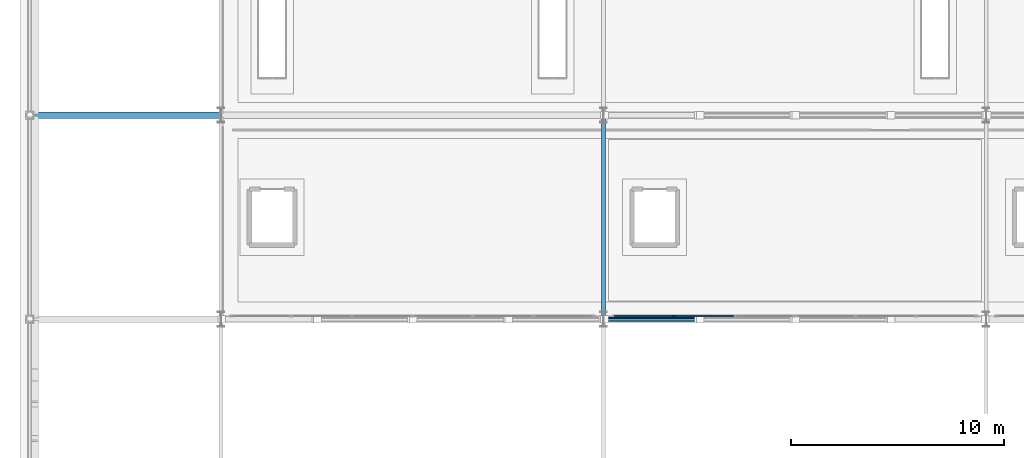
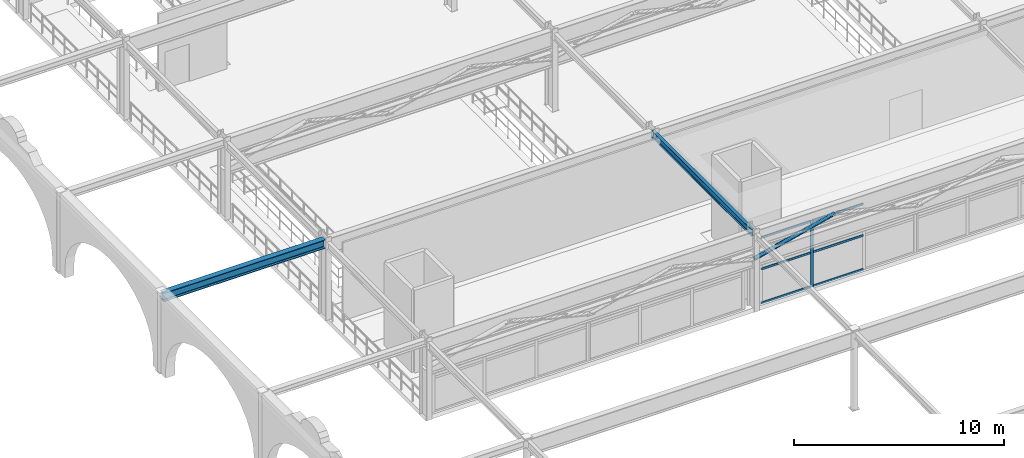
# One storey, part 25 of 125: 8 members, 2 beams, 1 element without a shape of its own.
"""IFC4 building model written with IfcOpenShell, lengths in metres."""

import ifcopenshell
import ifcopenshell.guid

model = None  # the IFC model being written
_history = None  # IfcOwnerHistory: only IFC2X3 demands one
_inside = {}  # id of a spatial element -> (the spatial element, [elements in it])
_under = {}  # id of a project, library or spatial element -> (it, [spatial elements below it])
_declared = {}  # id of a project -> (the project, [libraries it declares])
_typed = {}  # id of a type object -> (the type object, [elements of that type])
_made_of = {}  # id of a material, layer set ... -> (it, [elements and type objects made of it])


def new_model(schema):
    """Start an empty IFC model of exactly this schema.

    Asked for "IFC4X3", IfcOpenShell would pick the latest addendum, in which some entities
    have other attributes; the version numbers below select the first issue.
    IFC2X3 requires an IfcOwnerHistory on every rooted entity: one is made here for all.
    """
    global model, _history
    if schema == "IFC4X3":
        model = ifcopenshell.file(schema_version=(4, 3, 0, 0))
    else:
        model = ifcopenshell.file(schema=schema)
    _inside.clear()
    _under.clear()
    _declared.clear()
    _typed.clear()
    _made_of.clear()
    _history = None
    if model.schema == "IFC2X3":
        org = make("IfcOrganization", Name="unknown")
        user = make(
            "IfcPersonAndOrganization",
            ThePerson=make("IfcPerson", FamilyName="unknown"),
            TheOrganization=org,
        )
        app = make(
            "IfcApplication",
            ApplicationDeveloper=org,
            Version="unknown",
            ApplicationFullName="unknown",
            ApplicationIdentifier="unknown",
        )
        _history = make(
            "IfcOwnerHistory",
            OwningUser=user,
            OwningApplication=app,
            ChangeAction="ADDED",
            CreationDate=0,
        )
    return model


def make(cls, **values):
    """One entity of the class cls with the attributes given. An attribute that is None is left unset."""
    return model.create_entity(
        cls, **{name: value for name, value in values.items() if value is not None}
    )


def rooted(cls, **values):
    """An entity with a GlobalId (a new one), such as an element, a storey or a relation."""
    return make(cls, GlobalId=ifcopenshell.guid.new(), OwnerHistory=_history, **values)


def si_unit(unit_type, name, prefix=None):
    """IfcSIUnit, for example si_unit("LENGTHUNIT", "METRE", prefix="MILLI")."""
    return make("IfcSIUnit", UnitType=unit_type, Prefix=prefix, Name=name)


def assignment(units):
    """IfcUnitAssignment: the units of a project."""
    return None if units is None else make("IfcUnitAssignment", Units=units)


def point(xyz):
    """IfcCartesianPoint."""
    return None if xyz is None else make("IfcCartesianPoint", Coordinates=xyz)


def direction(xyz):
    """IfcDirection."""
    return None if xyz is None else make("IfcDirection", DirectionRatios=xyz)


def frame(location, z_axis=None, x_axis=None):
    """IfcAxis2Placement3D, a coordinate frame: its origin and axes. An axis left out is left unset."""
    return make(
        "IfcAxis2Placement3D",
        Location=point(location),
        Axis=direction(z_axis),
        RefDirection=direction(x_axis),
    )


def frame_2d(location, x_axis=None):
    """IfcAxis2Placement2D, a coordinate frame in the plane: its origin and x axis."""
    return make(
        "IfcAxis2Placement2D", Location=point(location), RefDirection=direction(x_axis)
    )


def origin():
    """The frame at (0, 0, 0) with its axes left unset."""
    return frame((0.0, 0.0, 0.0))


def origin_2d():
    """The frame at (0, 0) in the plane with its x axis left unset."""
    return frame_2d((0.0, 0.0))


def place(relative_to, where):
    """IfcLocalPlacement: puts the frame where relative to a parent placement (None: the world)."""
    return make(
        "IfcLocalPlacement", PlacementRelTo=relative_to, RelativePlacement=where
    )


def context(
    kind, dimensions, precision=None, world=None, true_north=None, identifier=None
):
    """IfcGeometricRepresentationContext, for example the 3D "Model" context."""
    return make(
        "IfcGeometricRepresentationContext",
        ContextIdentifier=identifier,
        ContextType=kind,
        CoordinateSpaceDimension=dimensions,
        Precision=precision,
        WorldCoordinateSystem=world,
        TrueNorth=true_north,
    )


def subcontext(parent, identifier, kind, view, scale=None):
    """IfcGeometricRepresentationSubContext, for example "Body" below "Model"."""
    return make(
        "IfcGeometricRepresentationSubContext",
        ContextIdentifier=identifier,
        ContextType=kind,
        ParentContext=parent,
        TargetScale=scale,
        TargetView=view,
    )


def project(units=None, contexts=None):
    """IfcProject with its units and contexts."""
    return rooted(
        "IfcProject",
        Name="project",
        RepresentationContexts=contexts,
        UnitsInContext=assignment(units),
    )


def spatial(cls, under=None, at=None, **own):
    """A site, building, storey or space (cls), placed at a placement, below another one or the project."""
    s = rooted(cls, ObjectPlacement=at, **own)
    if under is not None:
        _under.setdefault(under.id(), (under, []))[1].append(s)
    return s


def profile(cls, at=None, kind="AREA", **sizes):
    """A parametric profile (cls). Its sizes go by their IFC names, for example OverallWidth=200.0."""
    return make(cls, ProfileType=kind, Position=at, **sizes)


def rectangle(**sizes):
    """IfcRectangleProfileDef."""
    return profile("IfcRectangleProfileDef", **sizes)


def hollow_circle(**sizes):
    """IfcCircleHollowProfileDef."""
    return profile("IfcCircleHollowProfileDef", **sizes)


def i_section(**sizes):
    """IfcIShapeProfileDef."""
    return profile("IfcIShapeProfileDef", **sizes)


def extrude(swept, where, along, depth):
    """IfcExtrudedAreaSolid: the profile swept, set in the frame where, extruded along a direction by depth."""
    return make(
        "IfcExtrudedAreaSolid",
        SweptArea=swept,
        Position=where,
        ExtrudedDirection=direction(along),
        Depth=depth,
    )


def shape(context_of_items, identifier, shape_type, items):
    """IfcShapeRepresentation: the items that make up one representation, for example the "Body"."""
    return make(
        "IfcShapeRepresentation",
        ContextOfItems=context_of_items,
        RepresentationIdentifier=identifier,
        RepresentationType=shape_type,
        Items=items,
    )


def material(Name=None, Category=None):
    """IfcMaterial."""
    return make("IfcMaterial", Name=Name, Category=Category)


def layer(
    of_material, thickness, ventilated=None, Name=None, Category=None, Priority=None
):
    """IfcMaterialLayer: one layer of a wall or slab, of a material (None: an air gap)."""
    return make(
        "IfcMaterialLayer",
        Material=of_material,
        LayerThickness=thickness,
        IsVentilated=ventilated,
        Name=Name,
        Category=Category,
        Priority=Priority,
    )


def layer_set(layers, Name=None):
    """IfcMaterialLayerSet."""
    return make("IfcMaterialLayerSet", MaterialLayers=layers, LayerSetName=Name)


def material_profile(
    of_material, cross_section, Name=None, Category=None, Priority=None
):
    """IfcMaterialProfile: a cross section and its material."""
    return make(
        "IfcMaterialProfile",
        Name=Name,
        Material=of_material,
        Profile=cross_section,
        Priority=Priority,
        Category=Category,
    )


def profile_set(profiles, Name=None, composite=None):
    """IfcMaterialProfileSet."""
    return make(
        "IfcMaterialProfileSet",
        Name=Name,
        MaterialProfiles=profiles,
        CompositeProfile=composite,
    )


def made_of(thing, what):
    """Note that an element or type object is made of a material, layer set ...; save() writes the relation."""
    if what is not None:
        _made_of.setdefault(what.id(), (what, []))[1].append(thing)
    return thing


def type_object(cls, material=None, **own):
    """A type object (cls), such as IfcWallType, which elements share."""
    return made_of(rooted(cls, **own), material)


def element(
    cls,
    number,
    at=None,
    inside=None,
    cuts=None,
    type_object=None,
    material=None,
    context=None,
    identifier="Body",
    shape_type=None,
    held_by="IfcProductDefinitionShape",
    body=None,
    shapes=None,
    **own,
):
    """One element of the class cls, such as IfcWall. Its Tag is "e" and its number.

    at: its placement. inside: the storey or other place that contains it. cuts: it is an
    opening in that element (IfcRelVoidsElement). A single representation is given by context,
    identifier, shape_type and body (its items); several are given by shapes. held_by: the class
    of the entity that holds the representations. save() writes the other relations.
    """
    e = rooted(cls, Tag="e%d" % number, ObjectPlacement=at, **own)
    if body is not None:
        shapes = [shape(context, identifier, shape_type, body)]
    if shapes is not None:
        e.Representation = make(held_by, Representations=shapes)
    if inside is not None:
        _inside.setdefault(inside.id(), (inside, []))[1].append(e)
    if cuts is not None:
        rooted(
            "IfcRelVoidsElement", RelatingBuildingElement=cuts, RelatedOpeningElement=e
        )
    if type_object is not None:
        _typed.setdefault(type_object.id(), (type_object, []))[1].append(e)
    return made_of(e, material)


def aggregate(whole, parts):
    """IfcRelAggregates: a whole, such as a stair, and the parts it consists of."""
    return rooted("IfcRelAggregates", RelatingObject=whole, RelatedObjects=parts)


def save(model, path):
    """Write the relations noted so far, then the file.

    IfcRelAggregates (storeys below a building ...), IfcRelContainedInSpatialStructure (elements
    in a storey), IfcRelDefinesByType, IfcRelAssociatesMaterial and IfcRelDeclares: one each for
    every whole, place, type object, material and project.
    """
    for whole, parts in _under.values():
        aggregate(whole, parts)
    for where, things in _inside.values():
        rooted(
            "IfcRelContainedInSpatialStructure",
            RelatedElements=things,
            RelatingStructure=where,
        )
    for kind, things in _typed.values():
        rooted("IfcRelDefinesByType", RelatedObjects=things, RelatingType=kind)
    for what, things in _made_of.values():
        rooted("IfcRelAssociatesMaterial", RelatedObjects=things, RelatingMaterial=what)
    for by, libraries in _declared.values():
        rooted("IfcRelDeclares", RelatingContext=by, RelatedDefinitions=libraries)
    model.write(path)


model = new_model("IFC4")

# Units and contexts
model_context = context("Model", 3, precision=1e-05, world=origin(), true_north=direction((0.0, 1.0)))
body_context = subcontext(model_context, "Body", "Model", "MODEL_VIEW")
ifc_project = project(units=[si_unit("LENGTHUNIT", "METRE"), si_unit("AREAUNIT", "SQUARE_METRE"), si_unit("VOLUMEUNIT", "CUBIC_METRE"), si_unit("PLANEANGLEUNIT", "RADIAN"), si_unit("MASSUNIT", "GRAM", prefix="KILO")], contexts=[model_context])

# Site, building, storey
site_placement = place(None, origin())
site = spatial("IfcSite", under=ifc_project, at=site_placement, CompositionType="ELEMENT")
building_placement = place(site_placement, origin())
building = spatial("IfcBuilding", under=site, at=building_placement, Name="Myrtia Square Station", CompositionType="ELEMENT")
storey_placement = place(building_placement, frame((0.0, 0.0, 6.0)))
storey = spatial("IfcBuildingStorey", under=building, at=storey_placement, Name="L01", CompositionType="ELEMENT", Elevation=6.0)

# Beams
ifc_material_1 = material(Name="Steel S355", Category="steel")
ifc_material_profile_1 = material_profile(ifc_material_1, i_section(OverallWidth=0.300048828125, OverallDepth=0.5, WebThickness=0.014404296875, FlangeThickness=0.028076171875, FilletRadius=0.027099609375, at=origin_2d()), Name="HEB 500")
ifc_profile_set_1 = profile_set([ifc_material_profile_1], Name="Steel S355")
beam_type_1 = type_object("IfcBeamType", Name="BM-HEB500", PredefinedType="BEAM", material=ifc_profile_set_1)
beam_1_placement = place(storey_placement, frame((0.050048828125, 48.0, 4.304931640625), z_axis=(1.0, 0.0, 0.0), x_axis=(0.0, 1.0, 0.0)))
element("IfcBeam", 1, at=beam_1_placement, inside=storey, type_object=beam_type_1, Name="Structural girder BMX-L01-0468", PredefinedType="BEAM", context=body_context, shape_type="SweptSolid", body=[
    extrude(i_section(OverallWidth=0.300048828125, OverallDepth=0.5, WebThickness=0.014404296875, FlangeThickness=0.028076171875, FilletRadius=0.027099609375, at=origin_2d()), origin(), (0.0, 0.0, 1.0), 8.89990234375),
])
ifc_material_profile_2 = material_profile(ifc_material_1, i_section(OverallWidth=0.179931640625, OverallDepth=0.39990234375, WebThickness=0.008544921875, FlangeThickness=0.013427734375, FilletRadius=0.02099609375, at=origin_2d()), Name="IPE 400")
ifc_profile_set_2 = profile_set([ifc_material_profile_2], Name="Steel S355")
beam_type_2 = type_object("IfcBeamType", Name="BM-IPE400", PredefinedType="BEAM", material=ifc_profile_set_2)
beam_2_placement = place(storey_placement, frame((27.0, 38.449951171875, 4.35498046875), z_axis=(0.0, 1.0, 0.0), x_axis=(-1.0, 0.0, 0.0)))
element("IfcBeam", 2, at=beam_2_placement, inside=storey, type_object=beam_type_2, Name="Structural girder BMY-L01-0499", PredefinedType="BEAM", context=body_context, shape_type="SweptSolid", body=[
    extrude(i_section(OverallWidth=0.179931640625, OverallDepth=0.39990234375, WebThickness=0.008544921875, FlangeThickness=0.013427734375, FilletRadius=0.02099609375, at=origin_2d()), origin(), (0.0, 0.0, 1.0), 9.5),
])

# Member
ifc_material_profile_3 = material_profile(ifc_material_1, hollow_circle(Radius=0.109619140625, WallThickness=0.012451171875, at=origin_2d()), Name="CHS 219.1x12.5")
ifc_profile_set_3 = profile_set([ifc_material_profile_3], Name="Steel S355")
member_type_1 = type_object("IfcMemberType", Name="BRC-CHS219", PredefinedType="BRACE", material=ifc_profile_set_3)
member_1_placement = place(storey_placement, frame((27.0400390625, 38.39990234375, 2.85009765625), z_axis=(0.97040677758, 0.0, 0.241476056838), x_axis=(0.0, 1.0, 0.0)))
element("IfcMember", 3, at=member_1_placement, inside=storey, type_object=member_type_1, Name="Warren roof truss 01 diagonal 5", PredefinedType="BRACE", context=body_context, shape_type="SweptSolid", body=[
    extrude(hollow_circle(Radius=0.109619140625, WallThickness=0.012451171875, at=origin_2d()), origin(), (0.0, 0.0, 1.0), 4.5546875),
])

# Curtain wall, members
ifc_material_2 = material(Name="Dark bronze anodised aluminium", Category="aluminium")
ifc_layer = layer(ifc_material_2, 0.159912109375, Name="Dark bronze anodised aluminium")
ifc_layer_set = layer_set([ifc_layer], Name="Dark bronze anodised aluminium")
curtain_wall_type = type_object("IfcCurtainWallType", Name="CW-TYPE-18-855x385", PredefinedType="USERDEFINED", material=ifc_layer_set)
curtain_wall_placement = place(storey_placement, origin())
curtain_wall = element("IfcCurtainWall", 4, at=curtain_wall_placement, inside=storey, type_object=curtain_wall_type, Name="Concourse curtain wall CW-L01-063", ObjectType="CONCOURSE CURTAIN WALL", PredefinedType="USERDEFINED")
ifc_material_profile_4 = material_profile(ifc_material_2, rectangle(XDim=0.06005859375, YDim=0.159912109375, at=origin_2d()), Name="ALU-M 60x160")
ifc_profile_set_4 = profile_set([ifc_material_profile_4], Name="Dark bronze anodised aluminium")
member_type_2 = type_object("IfcMemberType", Name="CWM-60x160", PredefinedType="MULLION", material=ifc_profile_set_4)
member_2_placement = place(storey_placement, frame((30.300048828125, 38.550048828125, 0.0), z_axis=(0.0, 0.0, 1.0), x_axis=(0.0, 1.0, 0.0)))
member_2 = element("IfcMember", 5, at=member_2_placement, type_object=member_type_2, Name="CW-063 mullion 2", PredefinedType="MULLION", context=body_context, shape_type="SweptSolid", body=[
    extrude(rectangle(XDim=0.06005859375, YDim=0.159912109375, at=origin_2d()), origin(), (0.0, 0.0, 1.0), 3.85009765625),
])
ifc_material_profile_5 = material_profile(ifc_material_2, rectangle(XDim=0.06005859375, YDim=0.1201171875, at=origin_2d()), Name="ALU-T 60x120")
ifc_profile_set_5 = profile_set([ifc_material_profile_5], Name="Dark bronze anodised aluminium")
member_type_3 = type_object("IfcMemberType", Name="CWT-60x120", PredefinedType="USERDEFINED", material=ifc_profile_set_5)
member_3_placement = place(storey_placement, frame((27.510009765625, 38.550048828125, 0.030029296875), z_axis=(1.0, 0.0, 0.0), x_axis=(0.0, 1.0, 0.0)))
member_3 = element("IfcMember", 6, at=member_3_placement, type_object=member_type_3, Name="CW-063 transom 1.1", ObjectType="TRANSOM", PredefinedType="USERDEFINED", context=body_context, shape_type="SweptSolid", body=[
    extrude(rectangle(XDim=0.06005859375, YDim=0.1201171875, at=origin_2d()), origin(), (0.0, 0.0, 1.0), 2.760009765625),
])
member_4_placement = place(storey_placement, frame((27.510009765625, 38.550048828125, 2.001953125), z_axis=(1.0, 0.0, 0.0), x_axis=(0.0, 1.0, 0.0)))
member_4 = element("IfcMember", 7, at=member_4_placement, type_object=member_type_3, Name="CW-063 transom 1.2", ObjectType="TRANSOM", PredefinedType="USERDEFINED", context=body_context, shape_type="SweptSolid", body=[
    extrude(rectangle(XDim=0.06005859375, YDim=0.1201171875, at=origin_2d()), origin(), (0.0, 0.0, 1.0), 2.760009765625),
])
member_5_placement = place(storey_placement, frame((27.510009765625, 38.550048828125, 3.820068359375), z_axis=(1.0, 0.0, 0.0), x_axis=(0.0, 1.0, 0.0)))
member_5 = element("IfcMember", 8, at=member_5_placement, type_object=member_type_3, Name="CW-063 transom 1.3", ObjectType="TRANSOM", PredefinedType="USERDEFINED", context=body_context, shape_type="SweptSolid", body=[
    extrude(rectangle(XDim=0.06005859375, YDim=0.1201171875, at=origin_2d()), origin(), (0.0, 0.0, 1.0), 2.760009765625),
])
member_6_placement = place(storey_placement, frame((30.330078125, 38.550048828125, 0.030029296875), z_axis=(1.0, 0.0, 0.0), x_axis=(0.0, 1.0, 0.0)))
member_6 = element("IfcMember", 9, at=member_6_placement, type_object=member_type_3, Name="CW-063 transom 2.1", ObjectType="TRANSOM", PredefinedType="USERDEFINED", context=body_context, shape_type="SweptSolid", body=[
    extrude(rectangle(XDim=0.06005859375, YDim=0.1201171875, at=origin_2d()), origin(), (0.0, 0.0, 1.0), 2.7900390625),
])
member_7_placement = place(storey_placement, frame((30.330078125, 38.550048828125, 2.001953125), z_axis=(1.0, 0.0, 0.0), x_axis=(0.0, 1.0, 0.0)))
member_7 = element("IfcMember", 10, at=member_7_placement, type_object=member_type_3, Name="CW-063 transom 2.2", ObjectType="TRANSOM", PredefinedType="USERDEFINED", context=body_context, shape_type="SweptSolid", body=[
    extrude(rectangle(XDim=0.06005859375, YDim=0.1201171875, at=origin_2d()), origin(), (0.0, 0.0, 1.0), 2.7900390625),
])
member_8_placement = place(storey_placement, frame((30.330078125, 38.550048828125, 3.820068359375), z_axis=(1.0, 0.0, 0.0), x_axis=(0.0, 1.0, 0.0)))
member_8 = element("IfcMember", 11, at=member_8_placement, type_object=member_type_3, Name="CW-063 transom 2.3", ObjectType="TRANSOM", PredefinedType="USERDEFINED", context=body_context, shape_type="SweptSolid", body=[
    extrude(rectangle(XDim=0.06005859375, YDim=0.1201171875, at=origin_2d()), origin(), (0.0, 0.0, 1.0), 2.7900390625),
])
aggregate(curtain_wall, [member_2, member_3, member_4, member_5, member_6, member_7, member_8])

save(model, "model.ifc")
